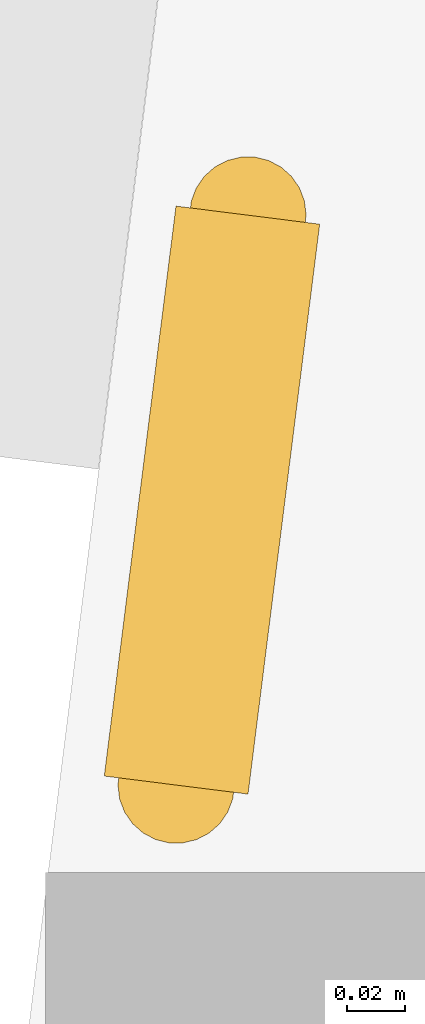
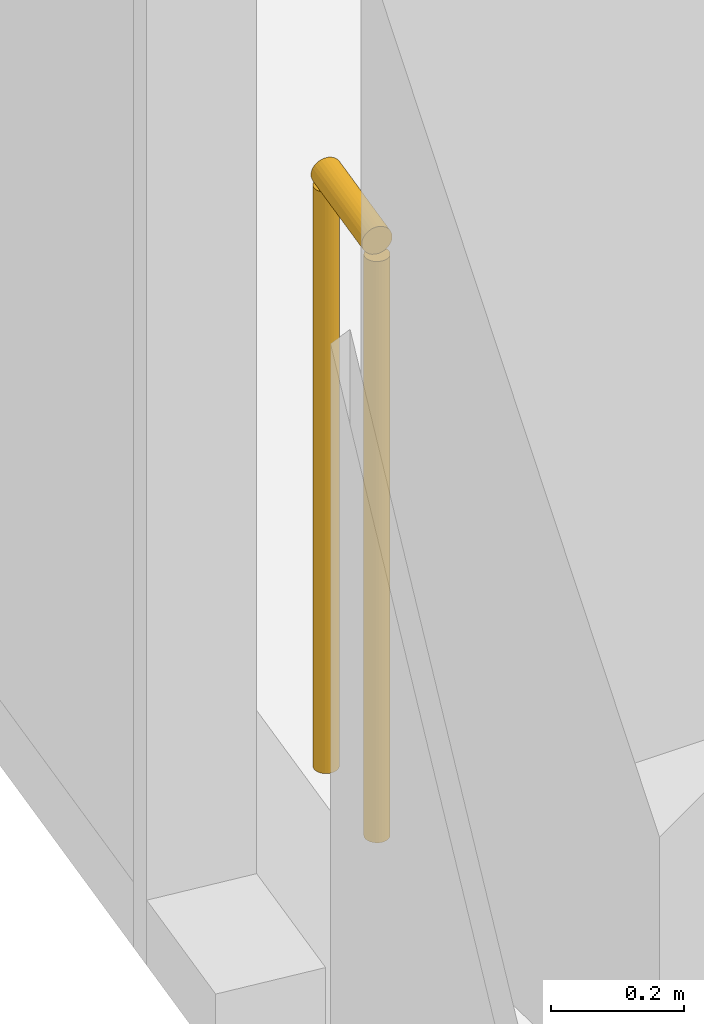
# One storey, part 24 of 27: 1 railing.
"""IFC4 building model written with IfcOpenShell, lengths in metres."""

from ifc_helpers import new_model, si_unit, direction, frame, origin, origin_2d, place, context, subcontext, project, spatial, circle, extrude, material, type_object, element, save


model = new_model("IFC4")

# Units and contexts
model_context = context("Model", 3, precision=1e-05, world=origin(), true_north=direction((0.0, 1.0)))
body_context = subcontext(model_context, "Body", "Model", "MODEL_VIEW")
ifc_project = project(units=[si_unit("LENGTHUNIT", "METRE"), si_unit("AREAUNIT", "SQUARE_METRE"), si_unit("VOLUMEUNIT", "CUBIC_METRE"), si_unit("PLANEANGLEUNIT", "RADIAN"), si_unit("MASSUNIT", "GRAM", prefix="KILO")], contexts=[model_context])

# Site, building, storey
site_placement = place(None, origin())
site = spatial("IfcSite", under=ifc_project, at=site_placement, CompositionType="ELEMENT")
building_placement = place(site_placement, origin())
building = spatial("IfcBuilding", under=site, at=building_placement, Name="Orlundy Tower", CompositionType="ELEMENT")
storey_placement = place(building_placement, frame((0.0, 0.0, 195.60009765625)))
storey = spatial("IfcBuildingStorey", under=building, at=storey_placement, Name="L51", CompositionType="ELEMENT", Elevation=195.60009765625)

# Railing
ifc_material = material(Name="Stainless steel bronze finish", Category="steel")
railing_type = type_object("IfcRailingType", Name="TG1 terrace guard", PredefinedType="GUARDRAIL", material=ifc_material)
railing_placement = place(storey_placement, frame((-24.947021484375, -38.407958984375, 0.0)))
element("IfcRailing", 1, at=railing_placement, inside=storey, type_object=railing_type, Name="Guard TG-L51-E01", PredefinedType="GUARDRAIL", context=body_context, shape_type="SweptSolid", body=[
    extrude(circle(Radius=0.02490234375, at=origin_2d()), frame((0.0, 0.0, 1.09521484375), z_axis=(0.124795064139, 0.99218253964, 0.0), x_axis=(-0.99218253964, 0.124795064139, 0.0)), (0.0, 0.0, 1.0), 0.197509765625),
    extrude(circle(Radius=0.02001953125, at=origin_2d()), origin(), (0.0, 0.0, 1.0), 1.070068359375),
    extrude(circle(Radius=0.02001953125, at=origin_2d()), frame((0.024658203125, 0.196044921875, 0.0)), (0.0, 0.0, 1.0), 1.070068359375),
])

save(model, "model.ifc")
